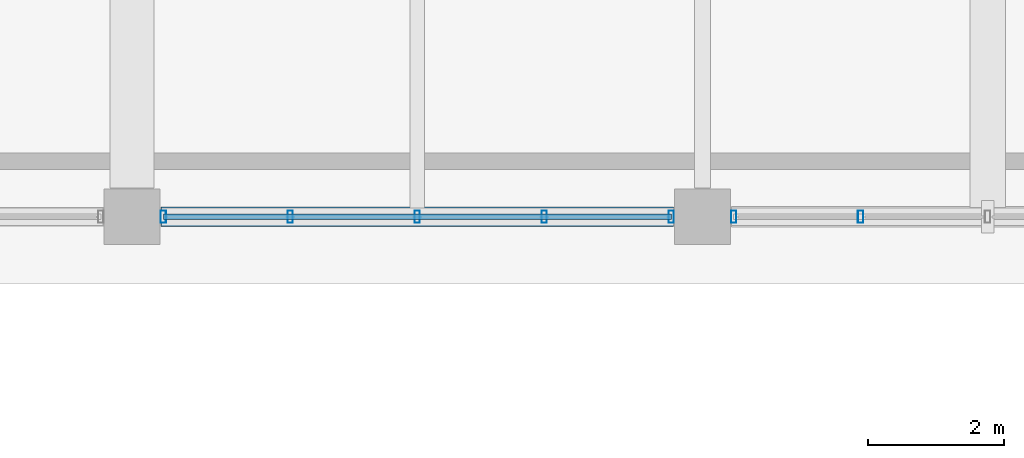
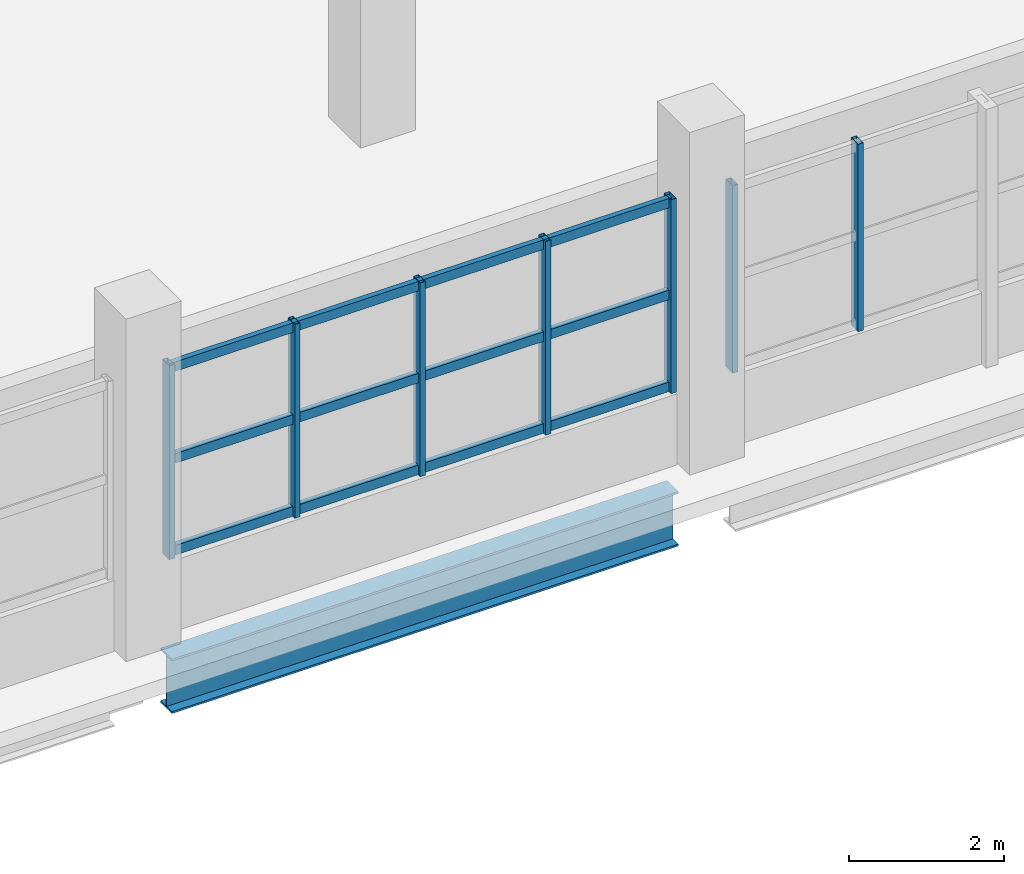
# One storey, part 30 of 107: 10 members, 1 beam, 2 elements without a shape of their own.
"""IFC4 building model written with IfcOpenShell, lengths in metres."""

from ifc_helpers import new_model, si_unit, direction, frame, origin, origin_2d, place, context, subcontext, project, spatial, hollow_rectangle, i_section, extrude, material, material_profile, profile_set, type_object, element, aggregate, save


model = new_model("IFC4")

# Units and contexts
model_context = context("Model", 3, precision=1e-05, world=origin(), true_north=direction((0.0, 1.0)))
body_context = subcontext(model_context, "Body", "Model", "MODEL_VIEW")
ifc_project = project(units=[si_unit("LENGTHUNIT", "METRE"), si_unit("AREAUNIT", "SQUARE_METRE"), si_unit("VOLUMEUNIT", "CUBIC_METRE"), si_unit("PLANEANGLEUNIT", "RADIAN"), si_unit("MASSUNIT", "GRAM", prefix="KILO")], contexts=[model_context])

# Site, building, storey
site_placement = place(None, origin())
site = spatial("IfcSite", under=ifc_project, at=site_placement, CompositionType="ELEMENT")
building_placement = place(site_placement, origin())
building = spatial("IfcBuilding", under=site, at=building_placement, Name="Solvento Point Concert Hall", CompositionType="ELEMENT")
storey_placement = place(building_placement, origin())
storey = spatial("IfcBuildingStorey", under=building, at=storey_placement, Name="L00", CompositionType="ELEMENT", Elevation=0.0)

# Beam
ifc_material_1 = material(Name="Structural Steel ASTM A992 Grade 50", Category="steel")
ifc_material_profile_1 = material_profile(ifc_material_1, i_section(OverallWidth=0.2919921875, OverallDepth=0.85888671875, WebThickness=0.01708984375, FlangeThickness=0.031005859375, at=origin_2d()), Name="W33X169")
ifc_profile_set_1 = profile_set([ifc_material_profile_1], Name="Structural Steel ASTM A992 Grade 50")
beam_type = type_object("IfcBeamType", Name="Girder_W33X169", PredefinedType="USERDEFINED", material=ifc_profile_set_1)
beam_placement = place(storey_placement, frame((32.823974609375, 119.0, -0.843505859375), z_axis=(1.0, 0.0, 0.0), x_axis=(0.0, 1.0, 0.0)))
element("IfcBeam", 1, at=beam_placement, inside=storey, type_object=beam_type, Name="Primary girder B-33 L00", ObjectType="GIRDER", PredefinedType="USERDEFINED", context=body_context, shape_type="SweptSolid", body=[
    extrude(i_section(OverallWidth=0.2919921875, OverallDepth=0.85888671875, WebThickness=0.01708984375, FlangeThickness=0.031005859375, at=origin_2d()), origin(), (0.0, 0.0, 1.0), 7.552001953125),
])

# Curtain wall, members
ifc_material_2 = material(Name="Anodized Bronze Aluminium", Category="aluminium")
curtain_wall_type = type_object("IfcCurtainWallType", Name="CurtainWall_CourtPilotis", PredefinedType="USERDEFINED", material=ifc_material_2)
curtain_wall_1_placement = place(storey_placement, origin())
curtain_wall_1 = element("IfcCurtainWall", 2, at=curtain_wall_1_placement, inside=storey, type_object=curtain_wall_type, Name="Unitised curtain wall CW-96 UCW-L00-023", ObjectType="UNITISED CURTAIN WALL", PredefinedType="USERDEFINED")
ifc_material_3 = material(Name="Anodized Bronze Aluminium", Category="aluminium")
ifc_material_profile_2 = material_profile(ifc_material_3, hollow_rectangle(XDim=0.080078125, YDim=0.179931640625, WallThickness=0.00390625, at=origin_2d()), Name="CW-MUL-80X180")
ifc_profile_set_2 = profile_set([ifc_material_profile_2], Name="Anodized Bronze Aluminium")
member_type_1 = type_object("IfcMemberType", Name="Mullion_80x180", PredefinedType="MULLION", material=ifc_profile_set_2)
member_1_placement = place(storey_placement, frame((32.860107421875, 119.0, 1.1201171875), z_axis=(0.0, 0.0, 1.0), x_axis=(1.0, 0.0, 0.0)))
member_1 = element("IfcMember", 3, at=member_1_placement, type_object=member_type_1, Name="Curtain wall mullion ML-01", PredefinedType="MULLION", context=body_context, shape_type="SweptSolid", body=[
    extrude(hollow_rectangle(XDim=0.080078125, YDim=0.179931640625, WallThickness=0.00390625, at=origin_2d()), origin(), (0.0, 0.0, 1.0), 3.056884765625),
])
member_2_placement = place(storey_placement, frame((34.72998046875, 119.0, 1.1201171875), z_axis=(0.0, 0.0, 1.0), x_axis=(1.0, 0.0, 0.0)))
member_2 = element("IfcMember", 4, at=member_2_placement, type_object=member_type_1, Name="Curtain wall mullion ML-01", PredefinedType="MULLION", context=body_context, shape_type="SweptSolid", body=[
    extrude(hollow_rectangle(XDim=0.080078125, YDim=0.179931640625, WallThickness=0.00390625, at=origin_2d()), origin(), (0.0, 0.0, 1.0), 3.056884765625),
])
member_3_placement = place(storey_placement, frame((36.60009765625, 119.0, 1.1201171875), z_axis=(0.0, 0.0, 1.0), x_axis=(1.0, 0.0, 0.0)))
member_3 = element("IfcMember", 5, at=member_3_placement, type_object=member_type_1, Name="Curtain wall mullion ML-01", PredefinedType="MULLION", context=body_context, shape_type="SweptSolid", body=[
    extrude(hollow_rectangle(XDim=0.080078125, YDim=0.179931640625, WallThickness=0.00390625, at=origin_2d()), origin(), (0.0, 0.0, 1.0), 3.056884765625),
])
member_4_placement = place(storey_placement, frame((38.469970703125, 119.0, 1.1201171875), z_axis=(0.0, 0.0, 1.0), x_axis=(1.0, 0.0, 0.0)))
member_4 = element("IfcMember", 6, at=member_4_placement, type_object=member_type_1, Name="Curtain wall mullion ML-01", PredefinedType="MULLION", context=body_context, shape_type="SweptSolid", body=[
    extrude(hollow_rectangle(XDim=0.080078125, YDim=0.179931640625, WallThickness=0.00390625, at=origin_2d()), origin(), (0.0, 0.0, 1.0), 3.056884765625),
])
member_5_placement = place(storey_placement, frame((40.340087890625, 119.0, 1.1201171875), z_axis=(0.0, 0.0, 1.0), x_axis=(1.0, 0.0, 0.0)))
member_5 = element("IfcMember", 7, at=member_5_placement, type_object=member_type_1, Name="Curtain wall mullion ML-01", PredefinedType="MULLION", context=body_context, shape_type="SweptSolid", body=[
    extrude(hollow_rectangle(XDim=0.080078125, YDim=0.179931640625, WallThickness=0.00390625, at=origin_2d()), origin(), (0.0, 0.0, 1.0), 3.056884765625),
])

curtain_wall_2_placement = place(storey_placement, origin())
curtain_wall_2 = element("IfcCurtainWall", 8, at=curtain_wall_2_placement, inside=storey, type_object=curtain_wall_type, Name="Unitised curtain wall CW-96 UCW-L00-024", ObjectType="UNITISED CURTAIN WALL", PredefinedType="USERDEFINED")
member_6_placement = place(storey_placement, frame((41.260009765625, 119.0, 1.1201171875), z_axis=(0.0, 0.0, 1.0), x_axis=(1.0, 0.0, 0.0)))
member_6 = element("IfcMember", 9, at=member_6_placement, type_object=member_type_1, Name="Curtain wall mullion ML-01", PredefinedType="MULLION", context=body_context, shape_type="SweptSolid", body=[
    extrude(hollow_rectangle(XDim=0.080078125, YDim=0.179931640625, WallThickness=0.00390625, at=origin_2d()), origin(), (0.0, 0.0, 1.0), 2.957763671875),
])
member_7_placement = place(storey_placement, frame((43.1298828125, 119.0, 1.1201171875), z_axis=(0.0, 0.0, 1.0), x_axis=(1.0, 0.0, 0.0)))
member_7 = element("IfcMember", 10, at=member_7_placement, type_object=member_type_1, Name="Curtain wall mullion ML-01", PredefinedType="MULLION", context=body_context, shape_type="SweptSolid", body=[
    extrude(hollow_rectangle(XDim=0.080078125, YDim=0.179931640625, WallThickness=0.00390625, at=origin_2d()), origin(), (0.0, 0.0, 1.0), 2.957763671875),
])
aggregate(curtain_wall_2, [member_6, member_7])

# Member
ifc_material_4 = material(Name="Anodized Bronze Aluminium", Category="aluminium")
ifc_material_profile_3 = material_profile(ifc_material_4, hollow_rectangle(XDim=0.080078125, YDim=0.14990234375, WallThickness=0.00390625, at=origin_2d()), Name="CW-TRN-80X150")
ifc_profile_set_3 = profile_set([ifc_material_profile_3], Name="Anodized Bronze Aluminium")
member_type_2 = type_object("IfcMemberType", Name="Transom_80x150", PredefinedType="USERDEFINED", material=ifc_profile_set_3)
member_8_placement = place(storey_placement, frame((32.860107421875, 119.0, 1.199951171875), z_axis=(1.0, 0.0, 0.0), x_axis=(0.0, 1.0, 0.0)))
member_8 = element("IfcMember", 11, at=member_8_placement, type_object=member_type_2, Name="Curtain wall transom TR-01", ObjectType="TRANSOM", PredefinedType="USERDEFINED", context=body_context, shape_type="SweptSolid", body=[
    extrude(hollow_rectangle(XDim=0.080078125, YDim=0.14990234375, WallThickness=0.00390625, at=origin_2d()), origin(), (0.0, 0.0, 1.0), 7.47998046875),
])

member_9_placement = place(storey_placement, frame((32.860107421875, 119.0, 2.6484375), z_axis=(1.0, 0.0, 0.0), x_axis=(0.0, 1.0, 0.0)))
member_9 = element("IfcMember", 12, at=member_9_placement, type_object=member_type_2, Name="Curtain wall transom TR-01", ObjectType="TRANSOM", PredefinedType="USERDEFINED", context=body_context, shape_type="SweptSolid", body=[
    extrude(hollow_rectangle(XDim=0.080078125, YDim=0.14990234375, WallThickness=0.00390625, at=origin_2d()), origin(), (0.0, 0.0, 1.0), 7.47998046875),
])

member_10_placement = place(storey_placement, frame((32.860107421875, 119.0, 4.096923828125), z_axis=(1.0, 0.0, 0.0), x_axis=(0.0, 1.0, 0.0)))
member_10 = element("IfcMember", 13, at=member_10_placement, type_object=member_type_2, Name="Curtain wall transom TR-01", ObjectType="TRANSOM", PredefinedType="USERDEFINED", context=body_context, shape_type="SweptSolid", body=[
    extrude(hollow_rectangle(XDim=0.080078125, YDim=0.14990234375, WallThickness=0.00390625, at=origin_2d()), origin(), (0.0, 0.0, 1.0), 7.47998046875),
])

aggregate(curtain_wall_1, [member_1, member_2, member_3, member_4, member_5, member_8, member_9, member_10])

save(model, "model.ifc")
